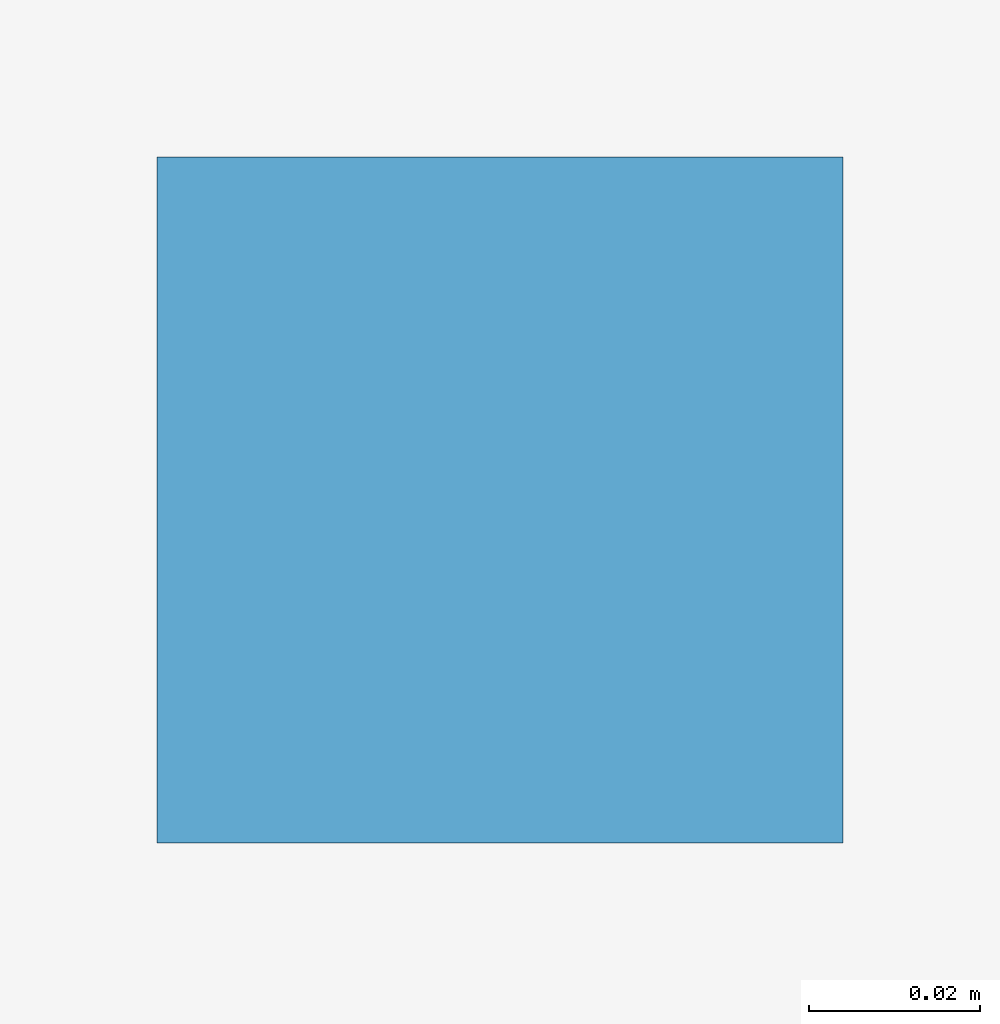
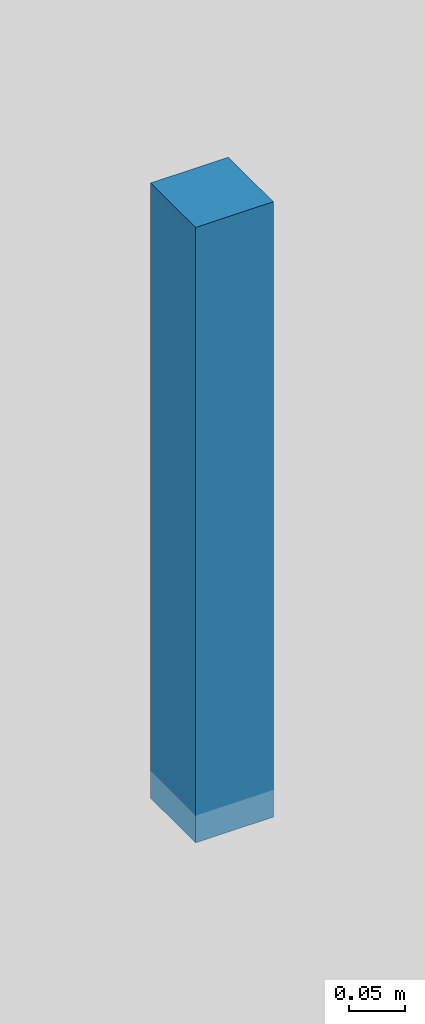
# One storey, part 11 of 15: 1 discrete accessory.
"""IFC4 building model written with IfcOpenShell, lengths in metres."""

from ifc_helpers import new_model, si_unit, direction, frame, origin, origin_2d, place, context, subcontext, project, spatial, rectangle, extrude, source, transform, mapped, material, type_object, element, save


model = new_model("IFC4")

# Units and contexts
model_context = context("Model", 3, precision=1e-05, world=origin(), true_north=direction((0.0, 1.0)))
body_context = subcontext(model_context, "Body", "Model", "MODEL_VIEW")
ifc_project = project(units=[si_unit("LENGTHUNIT", "METRE"), si_unit("AREAUNIT", "SQUARE_METRE"), si_unit("VOLUMEUNIT", "CUBIC_METRE"), si_unit("PLANEANGLEUNIT", "RADIAN"), si_unit("MASSUNIT", "GRAM", prefix="KILO")], contexts=[model_context])

# Site, building, storey
site_placement = place(None, origin())
site = spatial("IfcSite", under=ifc_project, at=site_placement, CompositionType="ELEMENT")
building_placement = place(site_placement, origin())
building = spatial("IfcBuilding", under=site, at=building_placement, Name="Giltprow Tower", CompositionType="ELEMENT")
storey_placement = place(building_placement, frame((0.0, 0.0, 152.699951171875)))
storey = spatial("IfcBuildingStorey", under=building, at=storey_placement, Name="L37", CompositionType="ELEMENT", Elevation=152.699951171875)

# Discrete accessory
ifc_material = material(Name="Structural steel Q355B", Category="steel")
discrete_accessory_type = type_object("IfcDiscreteAccessoryType", Name="ACC-CLG-HANGER", PredefinedType="BRACKET", material=ifc_material)
shared_shape = source(origin(), body_context, "Body", "SweptSolid", [
    extrude(rectangle(XDim=0.080078125, YDim=0.080078125, at=origin_2d()), origin(), (0.0, 0.0, 1.0), 0.669921875),
])
discrete_accessory_placement = place(storey_placement, frame((35.0, 35.550048828125, 2.6201171875), z_axis=(0.0, 0.0, 1.0), x_axis=(1.0, 0.0, 0.0)))
element("IfcDiscreteAccessory", 1, at=discrete_accessory_placement, inside=storey, type_object=discrete_accessory_type, Name="L37 Hotel Corridor Gypsum Ceiling Suspension Hanger", PredefinedType="BRACKET", context=body_context, shape_type="MappedRepresentation", body=[
    mapped(shared_shape, transform((0.0, 0.0, 0.0), x_axis=(1.0, 0.0, 0.0), y_axis=(0.0, 1.0, 0.0), z_axis=(0.0, 0.0, 1.0), scale=1.0)),
])

save(model, "model.ifc")
